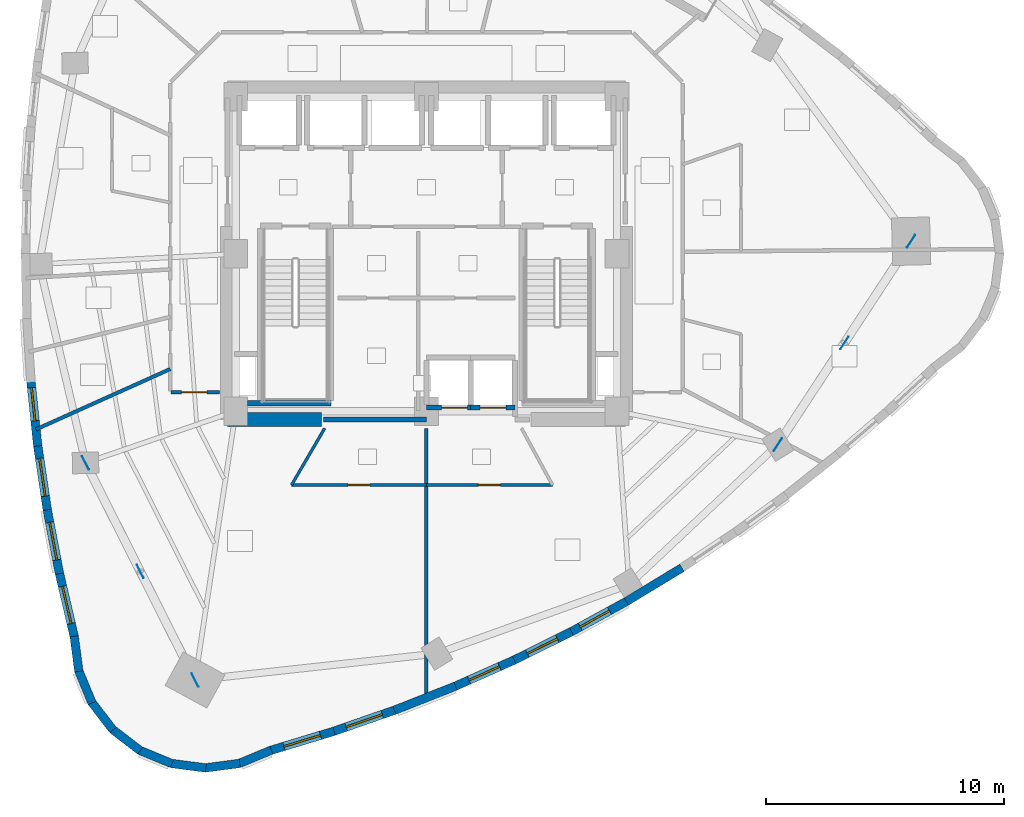
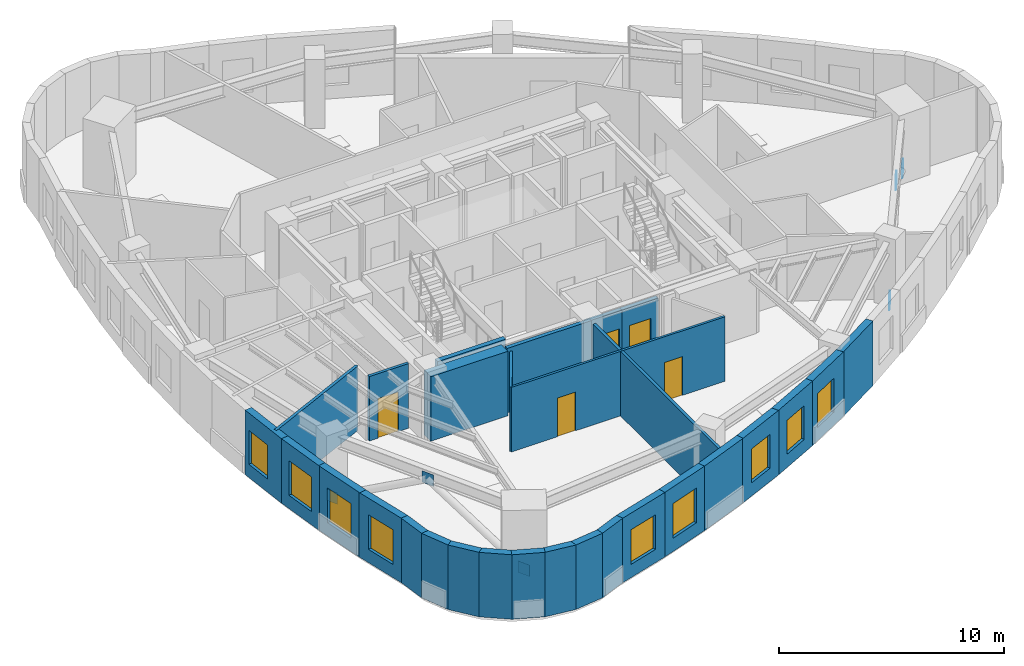
# One storey, part 7 of 14: 30 walls, 9 windows, 6 plates, 5 doors, 14 openings.
"""IFC4 building model written with IfcOpenShell, lengths in metres."""

from ifc_helpers import new_model, si_unit, direction, frame, frame_2d, origin, origin_2d, place, context, subcontext, project, spatial, rectangle, extrude, material, layer, layer_set, type_object, element, fill, save


model = new_model("IFC4")

# Units and contexts
model_context = context("Model", 3, precision=1e-05, world=origin(), true_north=direction((0.0, 1.0)))
body_context = subcontext(model_context, "Body", "Model", "MODEL_VIEW")
ifc_project = project(units=[si_unit("LENGTHUNIT", "METRE"), si_unit("AREAUNIT", "SQUARE_METRE"), si_unit("VOLUMEUNIT", "CUBIC_METRE"), si_unit("PLANEANGLEUNIT", "RADIAN"), si_unit("MASSUNIT", "GRAM", prefix="KILO")], contexts=[model_context])

# Site, building, storey
site_placement = place(None, origin())
site = spatial("IfcSite", under=ifc_project, at=site_placement, CompositionType="ELEMENT")
building_placement = place(site_placement, origin())
building = spatial("IfcBuilding", under=site, at=building_placement, Name="Ndelora Gate Hotel", CompositionType="ELEMENT")
storey_placement = place(building_placement, frame((0.0, 0.0, 119.75)))
storey = spatial("IfcBuildingStorey", under=building, at=storey_placement, Name="L29", CompositionType="ELEMENT", Elevation=119.75)

# Plates
ifc_material_1 = material(Name="Steel S355", Category="steel")
ifc_layer_1 = layer(ifc_material_1, 0.02001953125)
ifc_layer_set_1 = layer_set([ifc_layer_1], Name="Steel S355")
plate_type = type_object("IfcPlateType", Name="PL-NODE-VN1", PredefinedType="USERDEFINED", material=ifc_layer_set_1)
for number, where, z_axis, x_axis, name in (
    (1, (-14.307373046875, -8.767578125, -0.2900390625), (0.0, 0.0, 1.0), (-0.450254288408, 0.892900372813, 0.0), "Node gusset cap plate VN1"),
    (2, (-9.71044921875, -17.884521484375, -0.2900390625), (0.0, 0.0, 1.0), (-0.450254288408, 0.892900372813, 0.0), "Node gusset cap plate VN1"),
    (3, (-12.0087890625, -13.325927734375, 2.639892578125), (0.0, 0.0, 1.0), (-0.450254288408, 0.892900372813, 0.0), "Node gusset cap plate VN1"),
    (4, (14.74658203125, -8.006591796875, -0.2900390625), (0.0, 0.0, 1.0), (0.548147261701, 0.836381838331, 0.0), "Node gusset cap plate VN1"),
    (5, (20.34375, 0.53271484375, -0.2900390625), (0.0, 0.0, 1.0), (0.548147261701, 0.836381838331, 0.0), "Node gusset cap plate VN1"),
    (6, (17.545166015625, -3.737060546875, 2.639892578125), (0.0, 0.0, 1.0), (0.548147261701, 0.836381838331, 0.0), "Node gusset cap plate VN1"),
):
    element("IfcPlate", number, at=place(storey_placement, frame(where, z_axis=z_axis, x_axis=x_axis)), inside=storey, type_object=plate_type, Name=name, ObjectType="GUSSET_PLATE", PredefinedType="USERDEFINED", context=body_context, shape_type="SweptSolid", body=[
        extrude(rectangle(XDim=0.6201171875, YDim=0.02001953125, at=origin_2d()), origin(), (0.0, 0.0, 1.0), 0.6201171875),
    ])

# Wall, opening, window
ifc_material_2 = material(Name="Clay Brick Masonry", Category="masonry")
ifc_layer_2 = layer(ifc_material_2, 0.360107421875)
ifc_layer_set_2 = layer_set([ifc_layer_2], Name="Clay Brick Masonry")
wall_type_1 = type_object("IfcWallType", Name="WL-BRICK-360", PredefinedType="SOLIDWALL", material=ifc_layer_set_2)
wall_1_placement = place(storey_placement, frame((-16.315185546875, -8.061767578125, 0.0), z_axis=(0.0, 0.0, 1.0), x_axis=(-0.105606362296, 0.994408012962, 0.0)))
wall_1 = element("IfcWall", 7, at=wall_1_placement, inside=storey, type_object=wall_type_1, Name="L29 Tower Brick Pier-and-Spandrel Wall TWR-17", PredefinedType="SOLIDWALL", context=body_context, shape_type="SweptSolid", body=[
    extrude(rectangle(XDim=2.744140625, YDim=0.360107421875, at=frame_2d((1.3720703125, 0.0))), origin(), (0.0, 0.0, 1.0), 3.5),
])
opening_1_placement = place(wall_1_placement, frame((1.06005859375, 0.0, 0.719970703125)))
opening_1 = element("IfcOpeningElement", 8, at=opening_1_placement, cuts=wall_1, Name="Opening W02", PredefinedType="OPENING", context=body_context, shape_type="SweptSolid", body=[
    extrude(rectangle(XDim=1.39990234375, YDim=1.840087890625, at=frame_2d((0.699951171875, 0.919921875))), frame((0.0, 0.18994140625, 0.0), z_axis=(0.0, -1.0, 0.0), x_axis=(1.0, 0.0, 0.0)), (0.0, 0.0, 1.0), 0.380126953125),
])
ifc_material_3 = material(Name="Insulated Low-E Double Glazing in Bronze Aluminium Frame", Category="aluminium")
window_type_1 = type_object("IfcWindowType", Name="WN-DEEP-1400", PartitioningType="SINGLE_PANEL", PredefinedType="WINDOW", material=ifc_material_3)
window_1_placement = place(opening_1_placement, origin())
window_1 = element("IfcWindow", 9, at=window_1_placement, inside=storey, type_object=window_type_1, Name="L29 Deep-Set Brick-Pier Window W02", OverallHeight=1.840087890625, OverallWidth=1.39990234375, PartitioningType="SINGLE_PANEL", PredefinedType="WINDOW", context=body_context, shape_type="SweptSolid", body=[
    extrude(rectangle(XDim=1.39990234375, YDim=1.840087890625, at=frame_2d((0.699951171875, 0.919921875))), frame((0.0, 0.030029296875, 0.0), z_axis=(0.0, -1.0, 0.0), x_axis=(1.0, 0.0, 0.0)), (0.0, 0.0, 1.0), 0.06005859375),
])
fill(opening_1, window_1)

wall_2_placement = place(storey_placement, frame((-15.915283203125, -10.740478515625, 0.0), z_axis=(0.0, 0.0, 1.0), x_axis=(-0.147193392227, 0.98910773189, 0.0)))
wall_2 = element("IfcWall", 10, at=wall_2_placement, inside=storey, type_object=wall_type_1, Name="L29 Tower Brick Pier-and-Spandrel Wall TWR-18", PredefinedType="SOLIDWALL", context=body_context, shape_type="SweptSolid", body=[
    extrude(rectangle(XDim=2.75830078125, YDim=0.360107421875, at=frame_2d((1.379150390625, 0.0))), origin(), (0.0, 0.0, 1.0), 3.5),
])
opening_2_placement = place(wall_2_placement, frame((0.5791015625, 0.0, 0.719970703125)))
opening_2 = element("IfcOpeningElement", 11, at=opening_2_placement, cuts=wall_2, Name="Opening W01", PredefinedType="OPENING", context=body_context, shape_type="SweptSolid", body=[
    extrude(rectangle(XDim=1.60009765625, YDim=1.8798828125, at=frame_2d((0.800048828125, 0.93994140625))), frame((0.0, 0.18994140625, 0.0), z_axis=(0.0, -1.0, 0.0), x_axis=(1.0, 0.0, 0.0)), (0.0, 0.0, 1.0), 0.380126953125),
])
window_type_2 = type_object("IfcWindowType", Name="WN-DEEP-1600", PartitioningType="SINGLE_PANEL", PredefinedType="WINDOW", material=ifc_material_3)
window_2_placement = place(opening_2_placement, origin())
window_2 = element("IfcWindow", 12, at=window_2_placement, inside=storey, type_object=window_type_2, Name="L29 Deep-Set Brick-Pier Window W01", OverallHeight=1.8798828125, OverallWidth=1.60009765625, PartitioningType="SINGLE_PANEL", PredefinedType="WINDOW", context=body_context, shape_type="SweptSolid", body=[
    extrude(rectangle(XDim=1.60009765625, YDim=1.8798828125, at=frame_2d((0.800048828125, 0.93994140625))), frame((0.0, 0.030029296875, 0.0), z_axis=(0.0, -1.0, 0.0), x_axis=(1.0, 0.0, 0.0)), (0.0, 0.0, 1.0), 0.06005859375),
])
fill(opening_2, window_2)

wall_3_placement = place(storey_placement, frame((-15.40185546875, -13.41943359375, 0.0), z_axis=(0.0, 0.0, 1.0), x_axis=(-0.187911722621, 0.982185921555, 0.0)))
wall_3 = element("IfcWall", 13, at=wall_3_placement, inside=storey, type_object=wall_type_1, Name="L29 Tower Brick Pier-and-Spandrel Wall TWR-19", PredefinedType="SOLIDWALL", context=body_context, shape_type="SweptSolid", body=[
    extrude(rectangle(XDim=2.77783203125, YDim=0.360107421875, at=frame_2d((1.388916015625, 0.0))), origin(), (0.0, 0.0, 1.0), 3.5),
])
opening_3_placement = place(wall_3_placement, frame((0.5888671875, 0.0, 0.719970703125)))
opening_3 = element("IfcOpeningElement", 14, at=opening_3_placement, cuts=wall_3, Name="Opening W01", PredefinedType="OPENING", context=body_context, shape_type="SweptSolid", body=[
    extrude(rectangle(XDim=1.60009765625, YDim=1.8798828125, at=frame_2d((0.800048828125, 0.93994140625))), frame((0.0, 0.18994140625, 0.0), z_axis=(0.0, -1.0, 0.0), x_axis=(1.0, 0.0, 0.0)), (0.0, 0.0, 1.0), 0.380126953125),
])
window_3_placement = place(opening_3_placement, origin())
window_3 = element("IfcWindow", 15, at=window_3_placement, inside=storey, type_object=window_type_2, Name="L29 Deep-Set Brick-Pier Window W01", OverallHeight=1.8798828125, OverallWidth=1.60009765625, PartitioningType="SINGLE_PANEL", PredefinedType="WINDOW", context=body_context, shape_type="SweptSolid", body=[
    extrude(rectangle(XDim=1.60009765625, YDim=1.8798828125, at=frame_2d((0.800048828125, 0.93994140625))), frame((0.0, 0.030029296875, 0.0), z_axis=(0.0, -1.0, 0.0), x_axis=(1.0, 0.0, 0.0)), (0.0, 0.0, 1.0), 0.06005859375),
])
fill(opening_3, window_3)

wall_4_placement = place(storey_placement, frame((-14.7744140625, -16.097900390625, 0.0), z_axis=(0.0, 0.0, 1.0), x_axis=(-0.22776138749, 0.973716976523, 0.0)))
wall_4 = element("IfcWall", 16, at=wall_4_placement, inside=storey, type_object=wall_type_1, Name="L29 Tower Brick Pier-and-Spandrel Wall TWR-20", PredefinedType="SOLIDWALL", context=body_context, shape_type="SweptSolid", body=[
    extrude(rectangle(XDim=2.801025390625, YDim=0.360107421875, at=frame_2d((1.400390625, 0.0))), origin(), (0.0, 0.0, 1.0), 3.5),
])
opening_4_placement = place(wall_4_placement, frame((0.6005859375, 0.0, 0.719970703125)))
opening_4 = element("IfcOpeningElement", 17, at=opening_4_placement, cuts=wall_4, Name="Opening W01", PredefinedType="OPENING", context=body_context, shape_type="SweptSolid", body=[
    extrude(rectangle(XDim=1.60009765625, YDim=1.8798828125, at=frame_2d((0.800048828125, 0.93994140625))), frame((0.0, 0.18994140625, 0.0), z_axis=(0.0, -1.0, 0.0), x_axis=(1.0, 0.0, 0.0)), (0.0, 0.0, 1.0), 0.380126953125),
])
window_4_placement = place(opening_4_placement, origin())
window_4 = element("IfcWindow", 18, at=window_4_placement, inside=storey, type_object=window_type_2, Name="L29 Deep-Set Brick-Pier Window W01", OverallHeight=1.8798828125, OverallWidth=1.60009765625, PartitioningType="SINGLE_PANEL", PredefinedType="WINDOW", context=body_context, shape_type="SweptSolid", body=[
    extrude(rectangle(XDim=1.60009765625, YDim=1.8798828125, at=frame_2d((0.800048828125, 0.93994140625))), frame((0.0, 0.030029296875, 0.0), z_axis=(0.0, -1.0, 0.0), x_axis=(1.0, 0.0, 0.0)), (0.0, 0.0, 1.0), 0.06005859375),
])
fill(opening_4, window_4)

# Walls
wall_5_placement = place(storey_placement, frame((-14.589599609375, -17.52197265625, 0.0), z_axis=(0.0, 0.0, 1.0), x_axis=(-0.130463013345, 0.991453176983, 0.0)))
element("IfcWall", 19, at=wall_5_placement, inside=storey, type_object=wall_type_1, Name="L29 Tower Brick Pier-and-Spandrel Wall TWR-21", PredefinedType="SOLIDWALL", context=body_context, shape_type="SweptSolid", body=[
    extrude(rectangle(XDim=1.48583984375, YDim=0.360107421875, at=frame_2d((0.742919921875, 0.0))), origin(), (0.0, 0.0, 1.0), 3.5),
])
wall_6_placement = place(storey_placement, frame((-14.03369140625, -18.8466796875, 0.0), z_axis=(0.0, 0.0, 1.0), x_axis=(-0.382724298331, 0.923862604215, 0.0)))
element("IfcWall", 20, at=wall_6_placement, inside=storey, type_object=wall_type_1, Name="L29 Tower Brick Pier-and-Spandrel Wall TWR-22", PredefinedType="SOLIDWALL", context=body_context, shape_type="SweptSolid", body=[
    extrude(rectangle(XDim=1.485595703125, YDim=0.360107421875, at=frame_2d((0.74267578125, 0.0))), origin(), (0.0, 0.0, 1.0), 3.5),
])
for number, where, z_axis, x_axis, name in (
    (21, (-13.154052734375, -19.982666015625, 0.0), (0.0, 0.0, 1.0), (-0.608797140611, 0.793325936538, 0.0), "L29 Tower Brick Pier-and-Spandrel Wall TWR-23"),
    (22, (-12.010498046875, -20.85205078125, 0.0), (0.0, 0.0, 1.0), (-0.793325936538, 0.608797140611, 0.0), "L29 Tower Brick Pier-and-Spandrel Wall TWR-24"),
):
    element("IfcWall", number, at=place(storey_placement, frame(where, z_axis=z_axis, x_axis=x_axis)), inside=storey, type_object=wall_type_1, Name=name, PredefinedType="SOLIDWALL", context=body_context, shape_type="SweptSolid", body=[
        extrude(rectangle(XDim=1.48583984375, YDim=0.360107421875, at=frame_2d((0.742919921875, 0.0))), origin(), (0.0, 0.0, 1.0), 3.5),
    ])
wall_7_placement = place(storey_placement, frame((-10.6806640625, -21.39599609375, 0.0), z_axis=(0.0, 0.0, 1.0), x_axis=(-0.923862604215, 0.382724298331, 0.0)))
element("IfcWall", 23, at=wall_7_placement, inside=storey, type_object=wall_type_1, Name="L29 Tower Brick Pier-and-Spandrel Wall TWR-25", PredefinedType="SOLIDWALL", context=body_context, shape_type="SweptSolid", body=[
    extrude(rectangle(XDim=1.485595703125, YDim=0.360107421875, at=frame_2d((0.74267578125, 0.0))), origin(), (0.0, 0.0, 1.0), 3.5),
])
for number, where, z_axis, x_axis, name in (
    (24, (-9.25537109375, -21.576904296875, 0.0), (0.0, 0.0, 1.0), (-0.991453176983, 0.130463013345, 0.0), "L29 Tower Brick Pier-and-Spandrel Wall TWR-26"),
    (25, (-7.831787109375, -21.383056640625, 0.0), (0.0, 0.0, 1.0), (-0.991453176983, -0.130463013345, 0.0), "L29 Tower Brick Pier-and-Spandrel Wall TWR-27"),
    (26, (-6.507080078125, -20.827392578125, 0.0), (0.0, 0.0, 1.0), (-0.923886669429, -0.382666201867, 0.0), "L29 Tower Brick Pier-and-Spandrel Wall TWR-28"),
):
    element("IfcWall", number, at=place(storey_placement, frame(where, z_axis=z_axis, x_axis=x_axis)), inside=storey, type_object=wall_type_1, Name=name, PredefinedType="SOLIDWALL", context=body_context, shape_type="SweptSolid", body=[
        extrude(rectangle(XDim=1.48583984375, YDim=0.360107421875, at=frame_2d((0.742919921875, 0.0))), origin(), (0.0, 0.0, 1.0), 3.5),
    ])

# Wall, opening, window
wall_8_placement = place(storey_placement, frame((-3.873046875, -20.03271484375, 0.0), z_axis=(0.0, 0.0, 1.0), x_axis=(-0.957142340708, -0.289617920067, 0.0)))
wall_8 = element("IfcWall", 27, at=wall_8_placement, inside=storey, type_object=wall_type_1, Name="L29 Tower Brick Pier-and-Spandrel Wall TWR-29", PredefinedType="SOLIDWALL", context=body_context, shape_type="SweptSolid", body=[
    extrude(rectangle(XDim=2.80126953125, YDim=0.360107421875, at=frame_2d((1.400634765625, 0.0))), origin(), (0.0, 0.0, 1.0), 3.5),
])
opening_5_placement = place(wall_8_placement, frame((0.6005859375, 0.0, 0.719970703125)))
opening_5 = element("IfcOpeningElement", 28, at=opening_5_placement, cuts=wall_8, Name="Opening W03", PredefinedType="OPENING", context=body_context, shape_type="SweptSolid", body=[
    extrude(rectangle(XDim=1.60009765625, YDim=1.8798828125, at=frame_2d((0.800048828125, 0.93994140625))), frame((0.0, 0.18994140625, 0.0), z_axis=(0.0, -1.0, 0.0), x_axis=(1.0, 0.0, 0.0)), (0.0, 0.0, 1.0), 0.380126953125),
])
window_type_3 = type_object("IfcWindowType", Name="WN-CORN-2100", PartitioningType="SINGLE_PANEL", PredefinedType="WINDOW", material=ifc_material_3)
window_5_placement = place(opening_5_placement, origin())
window_5 = element("IfcWindow", 29, at=window_5_placement, inside=storey, type_object=window_type_3, Name="L29 Deep-Set Brick-Pier Window W03", OverallHeight=1.8798828125, OverallWidth=1.60009765625, PartitioningType="SINGLE_PANEL", PredefinedType="WINDOW", context=body_context, shape_type="SweptSolid", body=[
    extrude(rectangle(XDim=1.60009765625, YDim=1.8798828125, at=frame_2d((0.800048828125, 0.93994140625))), frame((0.0, 0.030029296875, 0.0), z_axis=(0.0, -1.0, 0.0), x_axis=(1.0, 0.0, 0.0)), (0.0, 0.0, 1.0), 0.06005859375),
])
fill(opening_5, window_5)

wall_9_placement = place(storey_placement, frame((-1.297119140625, -19.135986328125, 0.0), z_axis=(0.0, 0.0, 1.0), x_axis=(-0.944534739095, -0.328411520266, 0.0)))
wall_9 = element("IfcWall", 30, at=wall_9_placement, inside=storey, type_object=wall_type_1, Name="L29 Tower Brick Pier-and-Spandrel Wall TWR-30", PredefinedType="SOLIDWALL", context=body_context, shape_type="SweptSolid", body=[
    extrude(rectangle(XDim=2.77734375, YDim=0.360107421875, at=frame_2d((1.388671875, 0.0))), origin(), (0.0, 0.0, 1.0), 3.5),
])
opening_6_placement = place(wall_9_placement, frame((0.5888671875, 0.0, 0.719970703125)))
opening_6 = element("IfcOpeningElement", 31, at=opening_6_placement, cuts=wall_9, Name="Opening W01", PredefinedType="OPENING", context=body_context, shape_type="SweptSolid", body=[
    extrude(rectangle(XDim=1.60009765625, YDim=1.8798828125, at=frame_2d((0.800048828125, 0.93994140625))), frame((0.0, 0.18994140625, 0.0), z_axis=(0.0, -1.0, 0.0), x_axis=(1.0, 0.0, 0.0)), (0.0, 0.0, 1.0), 0.380126953125),
])
window_6_placement = place(opening_6_placement, origin())
window_6 = element("IfcWindow", 32, at=window_6_placement, inside=storey, type_object=window_type_2, Name="L29 Deep-Set Brick-Pier Window W01", OverallHeight=1.8798828125, OverallWidth=1.60009765625, PartitioningType="SINGLE_PANEL", PredefinedType="WINDOW", context=body_context, shape_type="SweptSolid", body=[
    extrude(rectangle(XDim=1.60009765625, YDim=1.8798828125, at=frame_2d((0.800048828125, 0.93994140625))), frame((0.0, 0.030029296875, 0.0), z_axis=(0.0, -1.0, 0.0), x_axis=(1.0, 0.0, 0.0)), (0.0, 0.0, 1.0), 0.06005859375),
])
fill(opening_6, window_6)

# Wall
wall_10_placement = place(storey_placement, frame((1.221923828125, -18.140625, 0.0), z_axis=(0.0, 0.0, 1.0), x_axis=(-0.930175900813, -0.367114142395, 0.0)))
element("IfcWall", 33, at=wall_10_placement, inside=storey, type_object=wall_type_1, Name="L29 Tower Brick Pier-and-Spandrel Wall TWR-31", PredefinedType="SOLIDWALL", context=body_context, shape_type="SweptSolid", body=[
    extrude(rectangle(XDim=2.758544921875, YDim=0.360107421875, at=frame_2d((1.37939453125, 0.0))), origin(), (0.0, 0.0, 1.0), 3.5),
])

# Wall, opening, window
wall_11_placement = place(storey_placement, frame((3.68408203125, -17.046875, 0.0), z_axis=(0.0, 0.0, 1.0), x_axis=(-0.914049860102, -0.405601840783, 0.0)))
wall_11 = element("IfcWall", 34, at=wall_11_placement, inside=storey, type_object=wall_type_1, Name="L29 Tower Brick Pier-and-Spandrel Wall TWR-32", PredefinedType="SOLIDWALL", context=body_context, shape_type="SweptSolid", body=[
    extrude(rectangle(XDim=2.744140625, YDim=0.360107421875, at=frame_2d((1.3720703125, 0.0))), origin(), (0.0, 0.0, 1.0), 3.5),
])
opening_7_placement = place(wall_11_placement, frame((0.672119140625, 0.0, 0.719970703125)))
opening_7 = element("IfcOpeningElement", 35, at=opening_7_placement, cuts=wall_11, Name="Opening W02", PredefinedType="OPENING", context=body_context, shape_type="SweptSolid", body=[
    extrude(rectangle(XDim=1.39990234375, YDim=1.840087890625, at=frame_2d((0.699951171875, 0.919921875))), frame((0.0, 0.18994140625, 0.0), z_axis=(0.0, -1.0, 0.0), x_axis=(1.0, 0.0, 0.0)), (0.0, 0.0, 1.0), 0.380126953125),
])
window_7_placement = place(opening_7_placement, origin())
window_7 = element("IfcWindow", 36, at=window_7_placement, inside=storey, type_object=window_type_1, Name="L29 Deep-Set Brick-Pier Window W02", OverallHeight=1.840087890625, OverallWidth=1.39990234375, PartitioningType="SINGLE_PANEL", PredefinedType="WINDOW", context=body_context, shape_type="SweptSolid", body=[
    extrude(rectangle(XDim=1.39990234375, YDim=1.840087890625, at=frame_2d((0.699951171875, 0.919921875))), frame((0.0, 0.030029296875, 0.0), z_axis=(0.0, -1.0, 0.0), x_axis=(1.0, 0.0, 0.0)), (0.0, 0.0, 1.0), 0.06005859375),
])
fill(opening_7, window_7)

wall_12_placement = place(storey_placement, frame((6.089111328125, -15.8544921875, 0.0), z_axis=(0.0, 0.0, 1.0), x_axis=(-0.896117102505, -0.443817686216, 0.0)))
wall_12 = element("IfcWall", 37, at=wall_12_placement, inside=storey, type_object=wall_type_1, Name="L29 Tower Brick Pier-and-Spandrel Wall TWR-33", PredefinedType="SOLIDWALL", context=body_context, shape_type="SweptSolid", body=[
    extrude(rectangle(XDim=2.734619140625, YDim=0.360107421875, at=frame_2d((1.3671875, 0.0))), origin(), (0.0, 0.0, 1.0), 3.5),
])
opening_8_placement = place(wall_12_placement, frame((0.667236328125, 0.0, 0.719970703125)))
opening_8 = element("IfcOpeningElement", 38, at=opening_8_placement, cuts=wall_12, Name="Opening W02", PredefinedType="OPENING", context=body_context, shape_type="SweptSolid", body=[
    extrude(rectangle(XDim=1.39990234375, YDim=1.840087890625, at=frame_2d((0.699951171875, 0.919921875))), frame((0.0, 0.18994140625, 0.0), z_axis=(0.0, -1.0, 0.0), x_axis=(1.0, 0.0, 0.0)), (0.0, 0.0, 1.0), 0.380126953125),
])
window_8_placement = place(opening_8_placement, origin())
window_8 = element("IfcWindow", 39, at=window_8_placement, inside=storey, type_object=window_type_1, Name="L29 Deep-Set Brick-Pier Window W02", OverallHeight=1.840087890625, OverallWidth=1.39990234375, PartitioningType="SINGLE_PANEL", PredefinedType="WINDOW", context=body_context, shape_type="SweptSolid", body=[
    extrude(rectangle(XDim=1.39990234375, YDim=1.840087890625, at=frame_2d((0.699951171875, 0.919921875))), frame((0.0, 0.030029296875, 0.0), z_axis=(0.0, -1.0, 0.0), x_axis=(1.0, 0.0, 0.0)), (0.0, 0.0, 1.0), 0.06005859375),
])
fill(opening_8, window_8)

wall_13_placement = place(storey_placement, frame((8.43701171875, -14.5634765625, 0.0), z_axis=(0.0, 0.0, 1.0), x_axis=(-0.876497150166, -0.481407047882, 0.0)))
wall_13 = element("IfcWall", 40, at=wall_13_placement, inside=storey, type_object=wall_type_1, Name="L29 Tower Brick Pier-and-Spandrel Wall TWR-34", PredefinedType="SOLIDWALL", context=body_context, shape_type="SweptSolid", body=[
    extrude(rectangle(XDim=2.7294921875, YDim=0.360107421875, at=frame_2d((1.36474609375, 0.0))), origin(), (0.0, 0.0, 1.0), 3.5),
])
opening_9_placement = place(wall_13_placement, frame((0.860107421875, 0.0, 0.719970703125)))
opening_9 = element("IfcOpeningElement", 41, at=opening_9_placement, cuts=wall_13, Name="Opening W02", PredefinedType="OPENING", context=body_context, shape_type="SweptSolid", body=[
    extrude(rectangle(XDim=1.39990234375, YDim=1.840087890625, at=frame_2d((0.699951171875, 0.919921875))), frame((0.0, 0.18994140625, 0.0), z_axis=(0.0, -1.0, 0.0), x_axis=(1.0, 0.0, 0.0)), (0.0, 0.0, 1.0), 0.380126953125),
])
window_9_placement = place(opening_9_placement, origin())
window_9 = element("IfcWindow", 42, at=window_9_placement, inside=storey, type_object=window_type_1, Name="L29 Deep-Set Brick-Pier Window W02", OverallHeight=1.840087890625, OverallWidth=1.39990234375, PartitioningType="SINGLE_PANEL", PredefinedType="WINDOW", context=body_context, shape_type="SweptSolid", body=[
    extrude(rectangle(XDim=1.39990234375, YDim=1.840087890625, at=frame_2d((0.699951171875, 0.919921875))), frame((0.0, 0.030029296875, 0.0), z_axis=(0.0, -1.0, 0.0), x_axis=(1.0, 0.0, 0.0)), (0.0, 0.0, 1.0), 0.06005859375),
])
fill(opening_9, window_9)

# Walls
wall_14_placement = place(storey_placement, frame((10.72802734375, -13.173583984375, 0.0), z_axis=(0.0, 0.0, 1.0), x_axis=(-0.855179809963, -0.518331450553, 0.0)))
element("IfcWall", 43, at=wall_14_placement, inside=storey, type_object=wall_type_1, Name="L29 Tower Brick Pier-and-Spandrel Wall TWR-35", PredefinedType="SOLIDWALL", context=body_context, shape_type="SweptSolid", body=[
    extrude(rectangle(XDim=2.7294921875, YDim=0.360107421875, at=frame_2d((1.36474609375, 0.0))), origin(), (0.0, 0.0, 1.0), 3.5),
])
ifc_material_4 = material(Name="Concrete C60/75", Category="concrete")
ifc_layer_3 = layer(ifc_material_4, 0.60009765625)
ifc_layer_set_3 = layer_set([ifc_layer_3], Name="Concrete C60/75")
wall_type_2 = type_object("IfcWallType", Name="WL-CORE-600", PredefinedType="SHEAR", material=ifc_layer_set_3)
wall_15_placement = place(storey_placement, frame((-8.35009765625, -6.949951171875, 0.0), z_axis=(0.0, 0.0, 1.0), x_axis=(1.0, 0.0, 0.0)))
element("IfcWall", 44, at=wall_15_placement, inside=storey, type_object=wall_type_2, Name="L29 Core Shear Wall S-W", PredefinedType="SHEAR", context=body_context, shape_type="SweptSolid", body=[
    extrude(rectangle(XDim=3.9501953125, YDim=0.60009765625, at=frame_2d((1.97509765625, 0.0))), origin(), (0.0, 0.0, 1.0), 3.5),
])
ifc_material_5 = material(Name="Concrete C40/50", Category="concrete")
ifc_layer_4 = layer(ifc_material_5, 0.199951171875)
ifc_layer_set_4 = layer_set([ifc_layer_4], Name="Concrete C40/50")
wall_type_3 = type_object("IfcWallType", Name="WL-FIRE-200", PredefinedType="PARTITIONING", material=ifc_layer_set_4)
wall_16_placement = place(storey_placement, frame((-4.320068359375, -6.949951171875, 0.0), z_axis=(0.0, 0.0, 1.0), x_axis=(1.0, 0.0, 0.0)))
element("IfcWall", 45, at=wall_16_placement, inside=storey, type_object=wall_type_3, Name="L29 Interior Wall IW-2", PredefinedType="PARTITIONING", context=body_context, shape_type="SweptSolid", body=[
    extrude(rectangle(XDim=4.320068359375, YDim=0.199951171875, at=frame_2d((2.16015625, 0.0))), origin(), (0.0, 0.0, 1.0), 3.5),
])

# Wall, opening, door
ifc_material_6 = material(Name="Fire-Rated Gypsum Stud Partition", Category="gypsum")
ifc_layer_5 = layer(ifc_material_6, 0.14990234375)
ifc_layer_set_5 = layer_set([ifc_layer_5], Name="Fire-Rated Gypsum Stud Partition")
wall_type_4 = type_object("IfcWallType", Name="WL-PART-150", PredefinedType="PARTITIONING", material=ifc_layer_set_5)
wall_17_placement = place(storey_placement, frame((-8.68994140625, -5.800048828125, 0.0), z_axis=(0.0, 0.0, 1.0), x_axis=(-1.0, 0.0, 0.0)))
wall_17 = element("IfcWall", 46, at=wall_17_placement, inside=storey, type_object=wall_type_4, Name="L29 Interior Wall IW-5", PredefinedType="PARTITIONING", context=body_context, shape_type="SweptSolid", body=[
    extrude(rectangle(XDim=2.02001953125, YDim=0.14990234375, at=frame_2d((1.010009765625, 0.0))), origin(), (0.0, 0.0, 1.0), 3.5),
])
opening_10_placement = place(wall_17_placement, frame((0.52001953125, 0.0, 0.0)))
opening_10 = element("IfcOpeningElement", 47, at=opening_10_placement, cuts=wall_17, Name="Opening D07", PredefinedType="OPENING", context=body_context, shape_type="SweptSolid", body=[
    extrude(rectangle(XDim=1.06005859375, YDim=2.14990234375, at=frame_2d((0.530029296875, 1.074951171875))), frame((0.0, 0.0849609375, 0.0), z_axis=(0.0, -1.0, 0.0), x_axis=(1.0, 0.0, 0.0)), (0.0, 0.0, 1.0), 0.169921875),
])
ifc_material_7 = material(Name="Diplomatic Suite Acoustic Entrance Door", Category="wood")
door_type_1 = type_object("IfcDoorType", Name="DR-SUITE-1060", OperationType="SINGLE_SWING_LEFT", PredefinedType="DOOR", material=ifc_material_7)
door_1_placement = place(opening_10_placement, origin())
door_1 = element("IfcDoor", 48, at=door_1_placement, inside=storey, type_object=door_type_1, Name="L29 Corner Diplomatic Suite 3201 Entrance Door", OperationType="SINGLE_SWING_RIGHT", OverallHeight=2.14990234375, OverallWidth=1.06005859375, PredefinedType="DOOR", context=body_context, shape_type="SweptSolid", body=[
    extrude(rectangle(XDim=1.06005859375, YDim=2.14990234375, at=frame_2d((0.530029296875, 1.074951171875))), frame((0.0, 0.02490234375, 0.0), z_axis=(0.0, -1.0, 0.0), x_axis=(1.0, 0.0, 0.0)), (0.0, 0.0, 1.0), 0.050048828125),
])
fill(opening_10, door_1)

# Walls
wall_18_placement = place(storey_placement, frame((-10.75, -4.831298828125, 0.0), z_axis=(0.0, 0.0, 1.0), x_axis=(-0.91212311918, -0.409916351781, 0.0)))
element("IfcWall", 49, at=wall_18_placement, inside=storey, type_object=wall_type_4, Name="L29 Interior Wall IW-5", PredefinedType="PARTITIONING", context=body_context, shape_type="SweptSolid", body=[
    extrude(rectangle(XDim=6.18212890625, YDim=0.14990234375, at=frame_2d((3.091064453125, 0.0))), origin(), (0.0, 0.0, 1.0), 3.5),
])
wall_19_placement = place(storey_placement, frame((0.0, -7.320068359375, 0.0), z_axis=(0.0, 0.0, 1.0), x_axis=(0.0, -1.0, 0.0)))
element("IfcWall", 50, at=wall_19_placement, inside=storey, type_object=wall_type_4, Name="L29 Interior Wall IW-5", PredefinedType="PARTITIONING", context=body_context, shape_type="SweptSolid", body=[
    extrude(rectangle(XDim=11.302978515625, YDim=0.14990234375, at=frame_2d((5.6513671875, 0.0))), origin(), (0.0, 0.0, 1.0), 3.5),
])

# Wall, opening, door
ifc_layer_6 = layer(ifc_material_5, 0.219970703125)
ifc_layer_set_6 = layer_set([ifc_layer_6], Name="Concrete C40/50")
wall_type_5 = type_object("IfcWallType", Name="WL-SHAFT-220", PredefinedType="PARTITIONING", material=ifc_layer_set_6)
wall_20_placement = place(storey_placement, frame((0.0, -6.449951171875, 0.0), z_axis=(0.0, 0.0, 1.0), x_axis=(1.0, 0.0, 0.0)))
wall_20 = element("IfcWall", 51, at=wall_20_placement, inside=storey, type_object=wall_type_5, Name="L29 Interior Wall IW-1", PredefinedType="PARTITIONING", context=body_context, shape_type="SweptSolid", body=[
    extrude(rectangle(XDim=1.860107421875, YDim=0.219970703125, at=frame_2d((0.93017578125, 0.0))), origin(), (0.0, 0.0, 1.0), 3.1201171875),
])
opening_11_placement = place(wall_20_placement, frame((0.639892578125, 0.0, 0.0)))
opening_11 = element("IfcOpeningElement", 52, at=opening_11_placement, cuts=wall_20, Name="Opening LD2", PredefinedType="OPENING", context=body_context, shape_type="SweptSolid", body=[
    extrude(rectangle(XDim=1.080078125, YDim=2.14990234375, at=frame_2d((0.5400390625, 1.074951171875))), frame((0.0, 0.1201171875, 0.0), z_axis=(0.0, -1.0, 0.0), x_axis=(1.0, 0.0, 0.0)), (0.0, 0.0, 1.0), 0.239990234375),
])
ifc_material_8 = material(Name="Brushed Bronze Stainless Lift Landing Door", Category="metal")
door_type_2 = type_object("IfcDoorType", Name="DR-LD2", OperationType="DOUBLE_DOOR_SLIDING", PredefinedType="DOOR", material=ifc_material_8)
door_2_placement = place(opening_11_placement, origin())
door_2 = element("IfcDoor", 53, at=door_2_placement, inside=storey, type_object=door_type_2, Name="L29 Lift Landing Sliding Door P2A", OperationType="DOUBLE_DOOR_SLIDING", OverallHeight=2.14990234375, OverallWidth=1.080078125, PredefinedType="DOOR", context=body_context, shape_type="SweptSolid", body=[
    extrude(rectangle(XDim=1.080078125, YDim=2.14990234375, at=frame_2d((0.5400390625, 1.074951171875))), frame((0.0, 0.02490234375, 0.0), z_axis=(0.0, -1.0, 0.0), x_axis=(1.0, 0.0, 0.0)), (0.0, 0.0, 1.0), 0.050048828125),
])
fill(opening_11, door_2)

wall_21_placement = place(storey_placement, frame((1.860107421875, -6.449951171875, 0.0), z_axis=(0.0, 0.0, 1.0), x_axis=(1.0, 0.0, 0.0)))
wall_21 = element("IfcWall", 54, at=wall_21_placement, inside=storey, type_object=wall_type_5, Name="L29 Interior Wall IW-1", PredefinedType="PARTITIONING", context=body_context, shape_type="SweptSolid", body=[
    extrude(rectangle(XDim=1.85986328125, YDim=0.219970703125, at=frame_2d((0.929931640625, 0.0))), origin(), (0.0, 0.0, 1.0), 3.1201171875),
])
opening_12_placement = place(wall_21_placement, frame((0.389892578125, 0.0, 0.0)))
opening_12 = element("IfcOpeningElement", 55, at=opening_12_placement, cuts=wall_21, Name="Opening LD2", PredefinedType="OPENING", context=body_context, shape_type="SweptSolid", body=[
    extrude(rectangle(XDim=1.080078125, YDim=2.14990234375, at=frame_2d((0.5400390625, 1.074951171875))), frame((0.0, 0.1201171875, 0.0), z_axis=(0.0, -1.0, 0.0), x_axis=(1.0, 0.0, 0.0)), (0.0, 0.0, 1.0), 0.239990234375),
])
door_3_placement = place(opening_12_placement, origin())
door_3 = element("IfcDoor", 56, at=door_3_placement, inside=storey, type_object=door_type_2, Name="L29 Lift Landing Sliding Door P2B", OperationType="DOUBLE_DOOR_SLIDING", OverallHeight=2.14990234375, OverallWidth=1.080078125, PredefinedType="DOOR", context=body_context, shape_type="SweptSolid", body=[
    extrude(rectangle(XDim=1.080078125, YDim=2.14990234375, at=frame_2d((0.5400390625, 1.074951171875))), frame((0.0, 0.02490234375, 0.0), z_axis=(0.0, -1.0, 0.0), x_axis=(1.0, 0.0, 0.0)), (0.0, 0.0, 1.0), 0.050048828125),
])
fill(opening_12, door_3)

# Wall
ifc_material_9 = material(Name="Concrete C50/60", Category="concrete")
ifc_layer_7 = layer(ifc_material_9, 0.239990234375)
ifc_layer_set_7 = layer_set([ifc_layer_7], Name="Concrete C50/60")
wall_type_6 = type_object("IfcWallType", Name="WL-STAIR-240", PredefinedType="SHEAR", material=ifc_layer_set_7)
wall_22_placement = place(storey_placement, frame((-7.5, -6.27001953125, 0.0), z_axis=(0.0, 0.0, 1.0), x_axis=(1.0, 0.0, 0.0)))
element("IfcWall", 57, at=wall_22_placement, inside=storey, type_object=wall_type_6, Name="L29 Stair Core Shear Wall SW-ST", PredefinedType="SHEAR", context=body_context, shape_type="SweptSolid", body=[
    extrude(rectangle(XDim=3.489990234375, YDim=0.239990234375, at=frame_2d((1.7451171875, 0.0))), origin(), (0.0, 0.0, 1.0), 3.5),
])

# Wall, opening, door
ifc_material_10 = material(Name="Moisture-Resistant Bathroom Tile Partition", Category="gypsum")
ifc_layer_8 = layer(ifc_material_10, 0.1201171875)
ifc_layer_set_8 = layer_set([ifc_layer_8], Name="Moisture-Resistant Bathroom Tile Partition")
wall_type_7 = type_object("IfcWallType", Name="WL-WET-120", PredefinedType="PARTITIONING", material=ifc_layer_set_8)
wall_23_placement = place(storey_placement, frame((0.0, -9.699951171875, 0.0), z_axis=(0.0, 0.0, 1.0), x_axis=(-1.0, 0.0, 0.0)))
wall_23 = element("IfcWall", 58, at=wall_23_placement, inside=storey, type_object=wall_type_7, Name="L29 Interior Wall IW-7", PredefinedType="PARTITIONING", context=body_context, shape_type="SweptSolid", body=[
    extrude(rectangle(XDim=5.660888671875, YDim=0.1201171875, at=frame_2d((2.83056640625, 0.0))), origin(), (0.0, 0.0, 1.0), 3.5),
])
opening_13_placement = place(wall_23_placement, frame((2.37060546875, 0.0, 0.0)))
opening_13 = element("IfcOpeningElement", 59, at=opening_13_placement, cuts=wall_23, Name="Opening D03", PredefinedType="OPENING", context=body_context, shape_type="SweptSolid", body=[
    extrude(rectangle(XDim=0.919921875, YDim=2.10009765625, at=frame_2d((0.4599609375, 1.050048828125))), frame((0.0, 0.070068359375, 0.0), z_axis=(0.0, -1.0, 0.0), x_axis=(1.0, 0.0, 0.0)), (0.0, 0.0, 1.0), 0.14013671875),
])
ifc_material_11 = material(Name="Moisture-Resistant Hardwood En-Suite Door", Category="wood")
door_type_3 = type_object("IfcDoorType", Name="DR-BATH-920", OperationType="SINGLE_SWING_LEFT", PredefinedType="DOOR", material=ifc_material_11)
door_4_placement = place(opening_13_placement, origin())
door_4 = element("IfcDoor", 60, at=door_4_placement, inside=storey, type_object=door_type_3, Name="L29 En-suite Bathroom 3201 Door", OperationType="SINGLE_SWING_RIGHT", OverallHeight=2.10009765625, OverallWidth=0.919921875, PredefinedType="DOOR", context=body_context, shape_type="SweptSolid", body=[
    extrude(rectangle(XDim=0.919921875, YDim=2.10009765625, at=frame_2d((0.4599609375, 1.050048828125))), frame((0.0, 0.02490234375, 0.0), z_axis=(0.0, -1.0, 0.0), x_axis=(1.0, 0.0, 0.0)), (0.0, 0.0, 1.0), 0.050048828125),
])
fill(opening_13, door_4)

# Wall
wall_24_placement = place(storey_placement, frame((-5.660888671875, -9.699951171875, 0.0), z_axis=(0.0, 0.0, 1.0), x_axis=(0.50404729756, 0.863676051435, 0.0)))
element("IfcWall", 61, at=wall_24_placement, inside=storey, type_object=wall_type_7, Name="L29 Interior Wall IW-7", PredefinedType="PARTITIONING", context=body_context, shape_type="SweptSolid", body=[
    extrude(rectangle(XDim=2.755615234375, YDim=0.1201171875, at=frame_2d((1.3779296875, 0.0))), origin(), (0.0, 0.0, 1.0), 3.5),
])

# Wall, opening, door
wall_25_placement = place(storey_placement, frame((5.291259765625, -9.699951171875, 0.0), z_axis=(0.0, 0.0, 1.0), x_axis=(-1.0, 0.0, 0.0)))
wall_25 = element("IfcWall", 62, at=wall_25_placement, inside=storey, type_object=wall_type_7, Name="L29 Interior Wall IW-7", PredefinedType="PARTITIONING", context=body_context, shape_type="SweptSolid", body=[
    extrude(rectangle(XDim=5.291259765625, YDim=0.1201171875, at=frame_2d((2.6455078125, 0.0))), origin(), (0.0, 0.0, 1.0), 3.5),
])
opening_14_placement = place(wall_25_placement, frame((2.185546875, 0.0, 0.0)))
opening_14 = element("IfcOpeningElement", 63, at=opening_14_placement, cuts=wall_25, Name="Opening D03", PredefinedType="OPENING", context=body_context, shape_type="SweptSolid", body=[
    extrude(rectangle(XDim=0.919921875, YDim=2.10009765625, at=frame_2d((0.4599609375, 1.050048828125))), frame((0.0, 0.070068359375, 0.0), z_axis=(0.0, -1.0, 0.0), x_axis=(1.0, 0.0, 0.0)), (0.0, 0.0, 1.0), 0.14013671875),
])
door_5_placement = place(opening_14_placement, origin())
door_5 = element("IfcDoor", 64, at=door_5_placement, inside=storey, type_object=door_type_3, Name="L29 En-suite Bathroom 3202 Door", OperationType="SINGLE_SWING_LEFT", OverallHeight=2.10009765625, OverallWidth=0.919921875, PredefinedType="DOOR", context=body_context, shape_type="SweptSolid", body=[
    extrude(rectangle(XDim=0.919921875, YDim=2.10009765625, at=frame_2d((0.4599609375, 1.050048828125))), frame((0.0, 0.02490234375, 0.0), z_axis=(0.0, -1.0, 0.0), x_axis=(1.0, 0.0, 0.0)), (0.0, 0.0, 1.0), 0.050048828125),
])
fill(opening_14, door_5)

save(model, "model.ifc")
